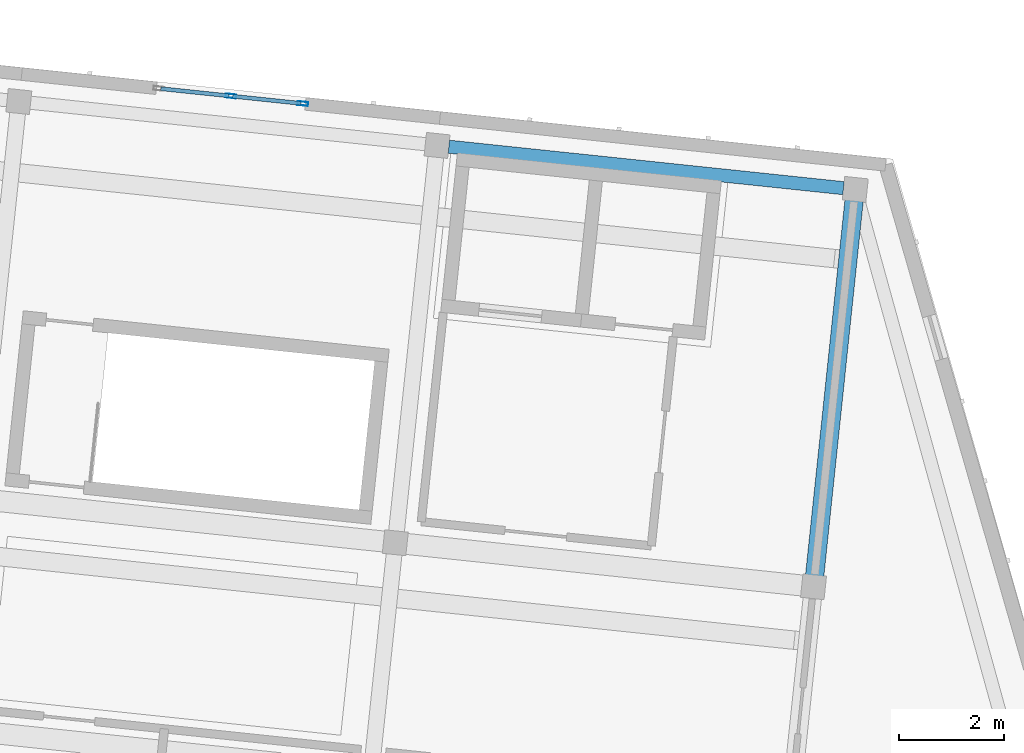
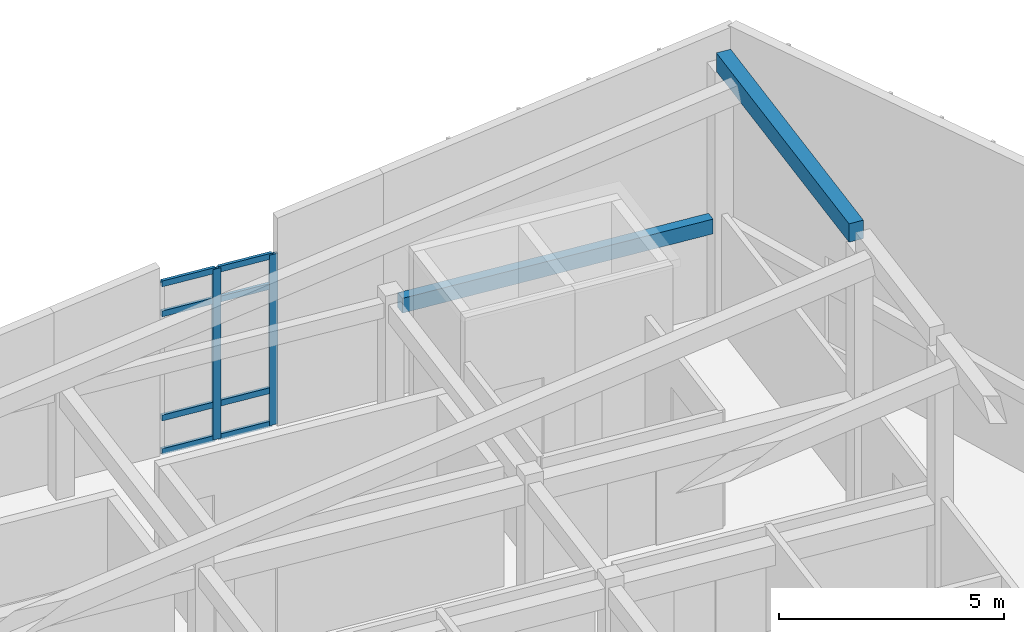
# One storey, part 9 of 31: 10 members, 2 beams, 1 element without a shape of its own.
"""IFC4 building model written with IfcOpenShell, lengths in metres."""

import ifcopenshell
import ifcopenshell.guid

model = None  # the IFC model being written
_history = None  # IfcOwnerHistory: only IFC2X3 demands one
_inside = {}  # id of a spatial element -> (the spatial element, [elements in it])
_under = {}  # id of a project, library or spatial element -> (it, [spatial elements below it])
_declared = {}  # id of a project -> (the project, [libraries it declares])
_typed = {}  # id of a type object -> (the type object, [elements of that type])
_made_of = {}  # id of a material, layer set ... -> (it, [elements and type objects made of it])


def new_model(schema):
    """Start an empty IFC model of exactly this schema.

    Asked for "IFC4X3", IfcOpenShell would pick the latest addendum, in which some entities
    have other attributes; the version numbers below select the first issue.
    IFC2X3 requires an IfcOwnerHistory on every rooted entity: one is made here for all.
    """
    global model, _history
    if schema == "IFC4X3":
        model = ifcopenshell.file(schema_version=(4, 3, 0, 0))
    else:
        model = ifcopenshell.file(schema=schema)
    _inside.clear()
    _under.clear()
    _declared.clear()
    _typed.clear()
    _made_of.clear()
    _history = None
    if model.schema == "IFC2X3":
        org = make("IfcOrganization", Name="unknown")
        user = make(
            "IfcPersonAndOrganization",
            ThePerson=make("IfcPerson", FamilyName="unknown"),
            TheOrganization=org,
        )
        app = make(
            "IfcApplication",
            ApplicationDeveloper=org,
            Version="unknown",
            ApplicationFullName="unknown",
            ApplicationIdentifier="unknown",
        )
        _history = make(
            "IfcOwnerHistory",
            OwningUser=user,
            OwningApplication=app,
            ChangeAction="ADDED",
            CreationDate=0,
        )
    return model


def make(cls, **values):
    """One entity of the class cls with the attributes given. An attribute that is None is left unset."""
    return model.create_entity(
        cls, **{name: value for name, value in values.items() if value is not None}
    )


def rooted(cls, **values):
    """An entity with a GlobalId (a new one), such as an element, a storey or a relation."""
    return make(cls, GlobalId=ifcopenshell.guid.new(), OwnerHistory=_history, **values)


def si_unit(unit_type, name, prefix=None):
    """IfcSIUnit, for example si_unit("LENGTHUNIT", "METRE", prefix="MILLI")."""
    return make("IfcSIUnit", UnitType=unit_type, Prefix=prefix, Name=name)


def assignment(units):
    """IfcUnitAssignment: the units of a project."""
    return None if units is None else make("IfcUnitAssignment", Units=units)


def point(xyz):
    """IfcCartesianPoint."""
    return None if xyz is None else make("IfcCartesianPoint", Coordinates=xyz)


def direction(xyz):
    """IfcDirection."""
    return None if xyz is None else make("IfcDirection", DirectionRatios=xyz)


def frame(location, z_axis=None, x_axis=None):
    """IfcAxis2Placement3D, a coordinate frame: its origin and axes. An axis left out is left unset."""
    return make(
        "IfcAxis2Placement3D",
        Location=point(location),
        Axis=direction(z_axis),
        RefDirection=direction(x_axis),
    )


def frame_2d(location, x_axis=None):
    """IfcAxis2Placement2D, a coordinate frame in the plane: its origin and x axis."""
    return make(
        "IfcAxis2Placement2D", Location=point(location), RefDirection=direction(x_axis)
    )


def origin():
    """The frame at (0, 0, 0) with its axes left unset."""
    return frame((0.0, 0.0, 0.0))


def origin_2d():
    """The frame at (0, 0) in the plane with its x axis left unset."""
    return frame_2d((0.0, 0.0))


def place(relative_to, where):
    """IfcLocalPlacement: puts the frame where relative to a parent placement (None: the world)."""
    return make(
        "IfcLocalPlacement", PlacementRelTo=relative_to, RelativePlacement=where
    )


def context(
    kind, dimensions, precision=None, world=None, true_north=None, identifier=None
):
    """IfcGeometricRepresentationContext, for example the 3D "Model" context."""
    return make(
        "IfcGeometricRepresentationContext",
        ContextIdentifier=identifier,
        ContextType=kind,
        CoordinateSpaceDimension=dimensions,
        Precision=precision,
        WorldCoordinateSystem=world,
        TrueNorth=true_north,
    )


def subcontext(parent, identifier, kind, view, scale=None):
    """IfcGeometricRepresentationSubContext, for example "Body" below "Model"."""
    return make(
        "IfcGeometricRepresentationSubContext",
        ContextIdentifier=identifier,
        ContextType=kind,
        ParentContext=parent,
        TargetScale=scale,
        TargetView=view,
    )


def project(units=None, contexts=None):
    """IfcProject with its units and contexts."""
    return rooted(
        "IfcProject",
        Name="project",
        RepresentationContexts=contexts,
        UnitsInContext=assignment(units),
    )


def spatial(cls, under=None, at=None, **own):
    """A site, building, storey or space (cls), placed at a placement, below another one or the project."""
    s = rooted(cls, ObjectPlacement=at, **own)
    if under is not None:
        _under.setdefault(under.id(), (under, []))[1].append(s)
    return s


def profile(cls, at=None, kind="AREA", **sizes):
    """A parametric profile (cls). Its sizes go by their IFC names, for example OverallWidth=200.0."""
    return make(cls, ProfileType=kind, Position=at, **sizes)


def rectangle(**sizes):
    """IfcRectangleProfileDef."""
    return profile("IfcRectangleProfileDef", **sizes)


def hollow_rectangle(**sizes):
    """IfcRectangleHollowProfileDef."""
    return profile("IfcRectangleHollowProfileDef", **sizes)


def extrude(swept, where, along, depth):
    """IfcExtrudedAreaSolid: the profile swept, set in the frame where, extruded along a direction by depth."""
    return make(
        "IfcExtrudedAreaSolid",
        SweptArea=swept,
        Position=where,
        ExtrudedDirection=direction(along),
        Depth=depth,
    )


def shape(context_of_items, identifier, shape_type, items):
    """IfcShapeRepresentation: the items that make up one representation, for example the "Body"."""
    return make(
        "IfcShapeRepresentation",
        ContextOfItems=context_of_items,
        RepresentationIdentifier=identifier,
        RepresentationType=shape_type,
        Items=items,
    )


def material(Name=None, Category=None):
    """IfcMaterial."""
    return make("IfcMaterial", Name=Name, Category=Category)


def material_profile(
    of_material, cross_section, Name=None, Category=None, Priority=None
):
    """IfcMaterialProfile: a cross section and its material."""
    return make(
        "IfcMaterialProfile",
        Name=Name,
        Material=of_material,
        Profile=cross_section,
        Priority=Priority,
        Category=Category,
    )


def profile_set(profiles, Name=None, composite=None):
    """IfcMaterialProfileSet."""
    return make(
        "IfcMaterialProfileSet",
        Name=Name,
        MaterialProfiles=profiles,
        CompositeProfile=composite,
    )


def made_of(thing, what):
    """Note that an element or type object is made of a material, layer set ...; save() writes the relation."""
    if what is not None:
        _made_of.setdefault(what.id(), (what, []))[1].append(thing)
    return thing


def type_object(cls, material=None, **own):
    """A type object (cls), such as IfcWallType, which elements share."""
    return made_of(rooted(cls, **own), material)


def element(
    cls,
    number,
    at=None,
    inside=None,
    cuts=None,
    type_object=None,
    material=None,
    context=None,
    identifier="Body",
    shape_type=None,
    held_by="IfcProductDefinitionShape",
    body=None,
    shapes=None,
    **own,
):
    """One element of the class cls, such as IfcWall. Its Tag is "e" and its number.

    at: its placement. inside: the storey or other place that contains it. cuts: it is an
    opening in that element (IfcRelVoidsElement). A single representation is given by context,
    identifier, shape_type and body (its items); several are given by shapes. held_by: the class
    of the entity that holds the representations. save() writes the other relations.
    """
    e = rooted(cls, Tag="e%d" % number, ObjectPlacement=at, **own)
    if body is not None:
        shapes = [shape(context, identifier, shape_type, body)]
    if shapes is not None:
        e.Representation = make(held_by, Representations=shapes)
    if inside is not None:
        _inside.setdefault(inside.id(), (inside, []))[1].append(e)
    if cuts is not None:
        rooted(
            "IfcRelVoidsElement", RelatingBuildingElement=cuts, RelatedOpeningElement=e
        )
    if type_object is not None:
        _typed.setdefault(type_object.id(), (type_object, []))[1].append(e)
    return made_of(e, material)


def aggregate(whole, parts):
    """IfcRelAggregates: a whole, such as a stair, and the parts it consists of."""
    return rooted("IfcRelAggregates", RelatingObject=whole, RelatedObjects=parts)


def save(model, path):
    """Write the relations noted so far, then the file.

    IfcRelAggregates (storeys below a building ...), IfcRelContainedInSpatialStructure (elements
    in a storey), IfcRelDefinesByType, IfcRelAssociatesMaterial and IfcRelDeclares: one each for
    every whole, place, type object, material and project.
    """
    for whole, parts in _under.values():
        aggregate(whole, parts)
    for where, things in _inside.values():
        rooted(
            "IfcRelContainedInSpatialStructure",
            RelatedElements=things,
            RelatingStructure=where,
        )
    for kind, things in _typed.values():
        rooted("IfcRelDefinesByType", RelatedObjects=things, RelatingType=kind)
    for what, things in _made_of.values():
        rooted("IfcRelAssociatesMaterial", RelatedObjects=things, RelatingMaterial=what)
    for by, libraries in _declared.values():
        rooted("IfcRelDeclares", RelatingContext=by, RelatedDefinitions=libraries)
    model.write(path)


model = new_model("IFC4")

# Units and contexts
model_context = context("Model", 3, precision=1e-05, world=origin(), true_north=direction((0.0, 1.0)))
body_context = subcontext(model_context, "Body", "Model", "MODEL_VIEW")
ifc_project = project(units=[si_unit("LENGTHUNIT", "METRE"), si_unit("AREAUNIT", "SQUARE_METRE"), si_unit("VOLUMEUNIT", "CUBIC_METRE"), si_unit("PLANEANGLEUNIT", "RADIAN"), si_unit("MASSUNIT", "GRAM", prefix="KILO")], contexts=[model_context])

# Site, building, storey
site_placement = place(None, origin())
site = spatial("IfcSite", under=ifc_project, at=site_placement, CompositionType="ELEMENT")
building_placement = place(site_placement, origin())
building = spatial("IfcBuilding", under=site, at=building_placement, Name="Kestramere Prow Commons", CompositionType="ELEMENT")
storey_placement = place(building_placement, frame((0.0, 0.0, 37.64990234375)))
storey = spatial("IfcBuildingStorey", under=building, at=storey_placement, Name="L11", CompositionType="ELEMENT", Elevation=37.64990234375)

# Curtain wall, members
ifc_material_1 = material(Name="Anodised Aluminium and Low-E Glass", Category="aluminium")
curtain_wall_type = type_object("IfcCurtainWallType", Name="CW-06 Glazed Curtain Wall 2830x4620", PredefinedType="USERDEFINED", material=ifc_material_1)
curtain_wall_placement = place(storey_placement, origin())
curtain_wall = element("IfcCurtainWall", 1, at=curtain_wall_placement, inside=storey, type_object=curtain_wall_type, Name="Block B L11 Stairwell Vertical Glazing 5", ObjectType="GLAZED CURTAIN WALL", PredefinedType="USERDEFINED")
ifc_material_2 = material(Name="Anodised Aluminium 6063-T6", Category="aluminium")
ifc_material_profile_1 = material_profile(ifc_material_2, hollow_rectangle(XDim=0.074951171875, YDim=0.199951171875, WallThickness=0.0048828125, at=origin_2d()), Name="ALU-MUL 75x200")
ifc_profile_set_1 = profile_set([ifc_material_profile_1], Name="Anodised Aluminium 6063-T6")
member_type_1 = type_object("IfcMemberType", Name="CW-MUL-75x200", PredefinedType="MULLION", material=ifc_profile_set_1)
member_1_placement = place(storey_placement, frame((147.906494140625, 111.0517578125, 0.0), z_axis=(0.0, 0.0, 1.0), x_axis=(0.104528269348, 0.99452191575, 0.0)))
member_1 = element("IfcMember", 2, at=member_1_placement, type_object=member_type_1, Name="CW-06 mullion 2", PredefinedType="MULLION", context=body_context, shape_type="SweptSolid", body=[
    extrude(hollow_rectangle(XDim=0.074951171875, YDim=0.199951171875, WallThickness=0.0048828125, at=origin_2d()), origin(), (0.0, 0.0, 1.0), 4.619384765625),
])
member_2_placement = place(storey_placement, frame((149.2763671875, 110.90771484375, 0.0), z_axis=(0.0, 0.0, 1.0), x_axis=(0.104528269348, 0.99452191575, 0.0)))
member_2 = element("IfcMember", 3, at=member_2_placement, type_object=member_type_1, Name="CW-06 mullion 3", PredefinedType="MULLION", context=body_context, shape_type="SweptSolid", body=[
    extrude(hollow_rectangle(XDim=0.074951171875, YDim=0.199951171875, WallThickness=0.0048828125, at=origin_2d()), origin(), (0.0, 0.0, 1.0), 4.619384765625),
])
ifc_material_profile_2 = material_profile(ifc_material_2, hollow_rectangle(XDim=0.074951171875, YDim=0.159912109375, WallThickness=0.0048828125, at=origin_2d()), Name="ALU-TRN 75x160")
ifc_profile_set_2 = profile_set([ifc_material_profile_2], Name="Anodised Aluminium 6063-T6")
member_type_2 = type_object("IfcMemberType", Name="CW-TRN-75x160", PredefinedType="USERDEFINED", material=ifc_profile_set_2)
member_3_placement = place(storey_placement, frame((146.57373046875, 111.19189453125, 0.03759765625), z_axis=(0.994515718398, -0.104587216522, 0.0), x_axis=(0.104587216522, 0.994515718398, 0.0)))
member_3 = element("IfcMember", 4, at=member_3_placement, type_object=member_type_2, Name="CW-06 transom 1.1", ObjectType="TRANSOM", PredefinedType="USERDEFINED", context=body_context, shape_type="SweptSolid", body=[
    extrude(hollow_rectangle(XDim=0.074951171875, YDim=0.159912109375, WallThickness=0.0048828125, at=origin_2d()), origin(), (0.0, 0.0, 1.0), 1.302490234375),
])
member_4_placement = place(storey_placement, frame((146.57373046875, 111.19189453125, 0.9501953125), z_axis=(0.994515718398, -0.104587216522, 0.0), x_axis=(0.104587216522, 0.994515718398, 0.0)))
member_4 = element("IfcMember", 5, at=member_4_placement, type_object=member_type_2, Name="CW-06 transom 1.2", ObjectType="TRANSOM", PredefinedType="USERDEFINED", context=body_context, shape_type="SweptSolid", body=[
    extrude(hollow_rectangle(XDim=0.074951171875, YDim=0.159912109375, WallThickness=0.0048828125, at=origin_2d()), origin(), (0.0, 0.0, 1.0), 1.302490234375),
])
member_5_placement = place(storey_placement, frame((146.57373046875, 111.19189453125, 3.76904296875), z_axis=(0.994515718398, -0.104587216522, 0.0), x_axis=(0.104587216522, 0.994515718398, 0.0)))
member_5 = element("IfcMember", 6, at=member_5_placement, type_object=member_type_2, Name="CW-06 transom 1.3", ObjectType="TRANSOM", PredefinedType="USERDEFINED", context=body_context, shape_type="SweptSolid", body=[
    extrude(hollow_rectangle(XDim=0.074951171875, YDim=0.159912109375, WallThickness=0.0048828125, at=origin_2d()), origin(), (0.0, 0.0, 1.0), 1.302490234375),
])
member_6_placement = place(storey_placement, frame((146.57373046875, 111.19189453125, 4.58203125), z_axis=(0.994515718398, -0.104587216522, 0.0), x_axis=(0.104587216522, 0.994515718398, 0.0)))
member_6 = element("IfcMember", 7, at=member_6_placement, type_object=member_type_2, Name="CW-06 transom 1.4", ObjectType="TRANSOM", PredefinedType="USERDEFINED", context=body_context, shape_type="SweptSolid", body=[
    extrude(hollow_rectangle(XDim=0.074951171875, YDim=0.159912109375, WallThickness=0.0048828125, at=origin_2d()), origin(), (0.0, 0.0, 1.0), 1.302490234375),
])
member_7_placement = place(storey_placement, frame((147.943603515625, 111.0478515625, 0.03759765625), z_axis=(0.994515718398, -0.104587216522, 0.0), x_axis=(0.104587216522, 0.994515718398, 0.0)))
member_7 = element("IfcMember", 8, at=member_7_placement, type_object=member_type_2, Name="CW-06 transom 2.1", ObjectType="TRANSOM", PredefinedType="USERDEFINED", context=body_context, shape_type="SweptSolid", body=[
    extrude(hollow_rectangle(XDim=0.074951171875, YDim=0.159912109375, WallThickness=0.0048828125, at=origin_2d()), origin(), (0.0, 0.0, 1.0), 1.302490234375),
])
member_8_placement = place(storey_placement, frame((147.943603515625, 111.0478515625, 0.9501953125), z_axis=(0.994515718398, -0.104587216522, 0.0), x_axis=(0.104587216522, 0.994515718398, 0.0)))
member_8 = element("IfcMember", 9, at=member_8_placement, type_object=member_type_2, Name="CW-06 transom 2.2", ObjectType="TRANSOM", PredefinedType="USERDEFINED", context=body_context, shape_type="SweptSolid", body=[
    extrude(hollow_rectangle(XDim=0.074951171875, YDim=0.159912109375, WallThickness=0.0048828125, at=origin_2d()), origin(), (0.0, 0.0, 1.0), 1.302490234375),
])
member_9_placement = place(storey_placement, frame((147.943603515625, 111.0478515625, 3.76904296875), z_axis=(0.994515718398, -0.104587216522, 0.0), x_axis=(0.104587216522, 0.994515718398, 0.0)))
member_9 = element("IfcMember", 10, at=member_9_placement, type_object=member_type_2, Name="CW-06 transom 2.3", ObjectType="TRANSOM", PredefinedType="USERDEFINED", context=body_context, shape_type="SweptSolid", body=[
    extrude(hollow_rectangle(XDim=0.074951171875, YDim=0.159912109375, WallThickness=0.0048828125, at=origin_2d()), origin(), (0.0, 0.0, 1.0), 1.302490234375),
])
member_10_placement = place(storey_placement, frame((147.943603515625, 111.0478515625, 4.58203125), z_axis=(0.994515718398, -0.104587216522, 0.0), x_axis=(0.104587216522, 0.994515718398, 0.0)))
member_10 = element("IfcMember", 11, at=member_10_placement, type_object=member_type_2, Name="CW-06 transom 2.4", ObjectType="TRANSOM", PredefinedType="USERDEFINED", context=body_context, shape_type="SweptSolid", body=[
    extrude(hollow_rectangle(XDim=0.074951171875, YDim=0.159912109375, WallThickness=0.0048828125, at=origin_2d()), origin(), (0.0, 0.0, 1.0), 1.302490234375),
])
aggregate(curtain_wall, [member_1, member_2, member_3, member_4, member_5, member_6, member_7, member_8, member_9, member_10])

# Beams
ifc_material_3 = material(Name="Precast concrete C40/50", Category="concrete")
ifc_material_profile_3 = material_profile(ifc_material_3, rectangle(XDim=0.35009765625, YDim=0.5, at=origin_2d()), Name="PC-RB 350x500")
ifc_profile_set_3 = profile_set([ifc_material_profile_3], Name="Precast concrete C40/50")
beam_type_1 = type_object("IfcBeamType", Name="RB-PR-02 PC-RB 350x500", PredefinedType="BEAM", material=ifc_profile_set_3)
beam_1_placement = place(storey_placement, frame((159.01025390625, 101.89599609375, 7.273193359375), z_axis=(0.104537331683, 0.99452096322, 0.0), x_axis=(-0.99452096322, 0.104537331683, 0.0)))
element("IfcBeam", 12, at=beam_1_placement, inside=storey, type_object=beam_type_1, Name="Block B Prow Peak Transverse Girder 3", PredefinedType="BEAM", context=body_context, shape_type="SweptSolid", body=[
    extrude(rectangle(XDim=0.35009765625, YDim=0.5, at=origin_2d()), origin(), (0.0, 0.0, 1.0), 7.23974609375),
])
ifc_material_profile_4 = material_profile(ifc_material_3, rectangle(XDim=0.25, YDim=0.39990234375, at=origin_2d()), Name="PC-SP 250x400")
ifc_profile_set_4 = profile_set([ifc_material_profile_4], Name="Precast concrete C40/50")
beam_type_2 = type_object("IfcBeamType", Name="SP-EXT-01 PC-SP 250x400", PredefinedType="SPANDREL", material=ifc_profile_set_4)
beam_2_placement = place(storey_placement, frame((152.053466796875, 110.087890625, 2.800048828125), z_axis=(0.994523511366, -0.104513086937, 0.0), x_axis=(0.104513086937, 0.994523511366, 0.0)))
element("IfcBeam", 13, at=beam_2_placement, inside=storey, type_object=beam_type_2, Name="Block B L11 Longitudinal Beam 4-6", PredefinedType="SPANDREL", context=body_context, shape_type="SweptSolid", body=[
    extrude(rectangle(XDim=0.25, YDim=0.39990234375, at=origin_2d()), origin(), (0.0, 0.0, 1.0), 7.5498046875),
])

save(model, "model.ifc")
